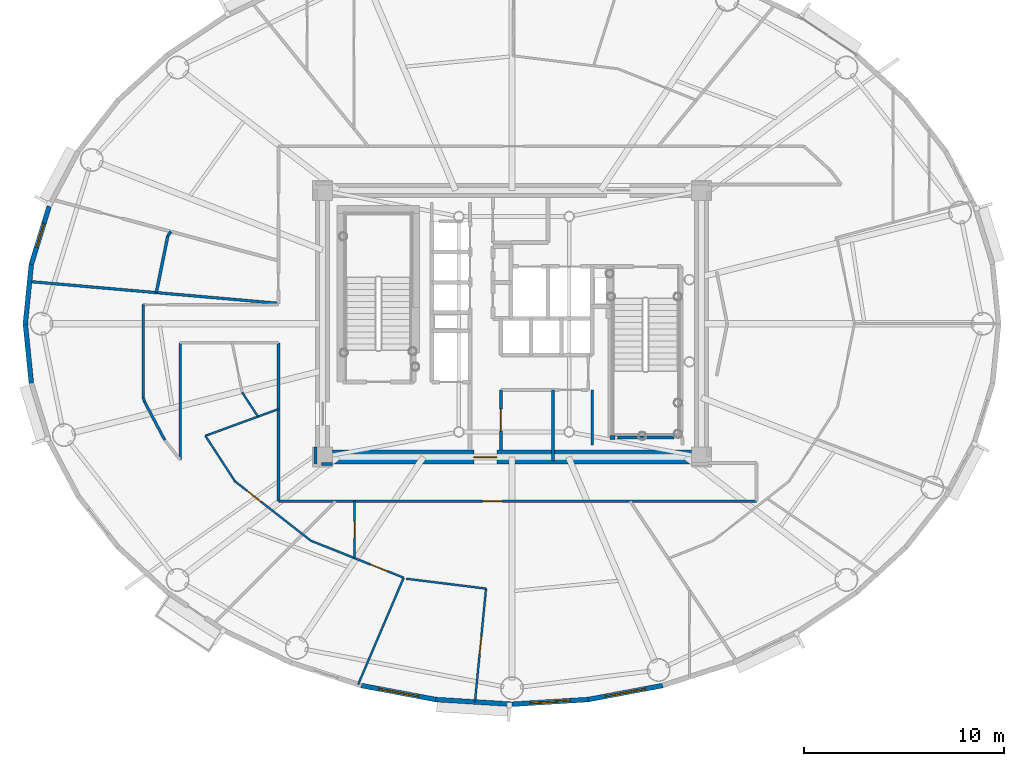
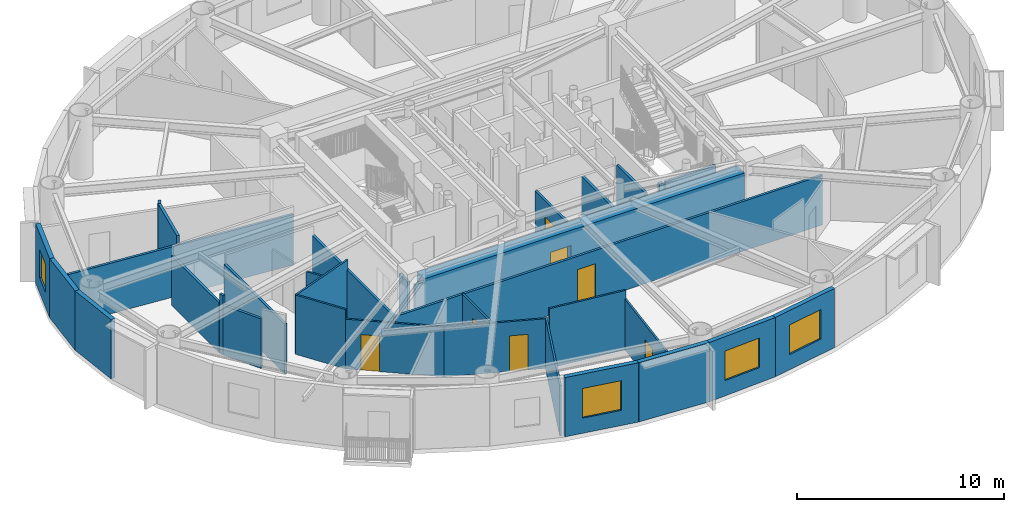
# One storey, part 7 of 18: 33 walls, 7 doors, 4 windows, 11 openings.
"""IFC4 building model written with IfcOpenShell, lengths in metres."""

import ifcopenshell
import ifcopenshell.guid

model = None  # the IFC model being written
_history = None  # IfcOwnerHistory: only IFC2X3 demands one
_inside = {}  # id of a spatial element -> (the spatial element, [elements in it])
_under = {}  # id of a project, library or spatial element -> (it, [spatial elements below it])
_declared = {}  # id of a project -> (the project, [libraries it declares])
_typed = {}  # id of a type object -> (the type object, [elements of that type])
_made_of = {}  # id of a material, layer set ... -> (it, [elements and type objects made of it])


def new_model(schema):
    """Start an empty IFC model of exactly this schema.

    Asked for "IFC4X3", IfcOpenShell would pick the latest addendum, in which some entities
    have other attributes; the version numbers below select the first issue.
    IFC2X3 requires an IfcOwnerHistory on every rooted entity: one is made here for all.
    """
    global model, _history
    if schema == "IFC4X3":
        model = ifcopenshell.file(schema_version=(4, 3, 0, 0))
    else:
        model = ifcopenshell.file(schema=schema)
    _inside.clear()
    _under.clear()
    _declared.clear()
    _typed.clear()
    _made_of.clear()
    _history = None
    if model.schema == "IFC2X3":
        org = make("IfcOrganization", Name="unknown")
        user = make(
            "IfcPersonAndOrganization",
            ThePerson=make("IfcPerson", FamilyName="unknown"),
            TheOrganization=org,
        )
        app = make(
            "IfcApplication",
            ApplicationDeveloper=org,
            Version="unknown",
            ApplicationFullName="unknown",
            ApplicationIdentifier="unknown",
        )
        _history = make(
            "IfcOwnerHistory",
            OwningUser=user,
            OwningApplication=app,
            ChangeAction="ADDED",
            CreationDate=0,
        )
    return model


def make(cls, **values):
    """One entity of the class cls with the attributes given. An attribute that is None is left unset."""
    return model.create_entity(
        cls, **{name: value for name, value in values.items() if value is not None}
    )


def rooted(cls, **values):
    """An entity with a GlobalId (a new one), such as an element, a storey or a relation."""
    return make(cls, GlobalId=ifcopenshell.guid.new(), OwnerHistory=_history, **values)


def si_unit(unit_type, name, prefix=None):
    """IfcSIUnit, for example si_unit("LENGTHUNIT", "METRE", prefix="MILLI")."""
    return make("IfcSIUnit", UnitType=unit_type, Prefix=prefix, Name=name)


def assignment(units):
    """IfcUnitAssignment: the units of a project."""
    return None if units is None else make("IfcUnitAssignment", Units=units)


def point(xyz):
    """IfcCartesianPoint."""
    return None if xyz is None else make("IfcCartesianPoint", Coordinates=xyz)


def direction(xyz):
    """IfcDirection."""
    return None if xyz is None else make("IfcDirection", DirectionRatios=xyz)


def frame(location, z_axis=None, x_axis=None):
    """IfcAxis2Placement3D, a coordinate frame: its origin and axes. An axis left out is left unset."""
    return make(
        "IfcAxis2Placement3D",
        Location=point(location),
        Axis=direction(z_axis),
        RefDirection=direction(x_axis),
    )


def frame_2d(location, x_axis=None):
    """IfcAxis2Placement2D, a coordinate frame in the plane: its origin and x axis."""
    return make(
        "IfcAxis2Placement2D", Location=point(location), RefDirection=direction(x_axis)
    )


def origin():
    """The frame at (0, 0, 0) with its axes left unset."""
    return frame((0.0, 0.0, 0.0))


def origin_2d():
    """The frame at (0, 0) in the plane with its x axis left unset."""
    return frame_2d((0.0, 0.0))


def place(relative_to, where):
    """IfcLocalPlacement: puts the frame where relative to a parent placement (None: the world)."""
    return make(
        "IfcLocalPlacement", PlacementRelTo=relative_to, RelativePlacement=where
    )


def context(
    kind, dimensions, precision=None, world=None, true_north=None, identifier=None
):
    """IfcGeometricRepresentationContext, for example the 3D "Model" context."""
    return make(
        "IfcGeometricRepresentationContext",
        ContextIdentifier=identifier,
        ContextType=kind,
        CoordinateSpaceDimension=dimensions,
        Precision=precision,
        WorldCoordinateSystem=world,
        TrueNorth=true_north,
    )


def subcontext(parent, identifier, kind, view, scale=None):
    """IfcGeometricRepresentationSubContext, for example "Body" below "Model"."""
    return make(
        "IfcGeometricRepresentationSubContext",
        ContextIdentifier=identifier,
        ContextType=kind,
        ParentContext=parent,
        TargetScale=scale,
        TargetView=view,
    )


def project(units=None, contexts=None):
    """IfcProject with its units and contexts."""
    return rooted(
        "IfcProject",
        Name="project",
        RepresentationContexts=contexts,
        UnitsInContext=assignment(units),
    )


def spatial(cls, under=None, at=None, **own):
    """A site, building, storey or space (cls), placed at a placement, below another one or the project."""
    s = rooted(cls, ObjectPlacement=at, **own)
    if under is not None:
        _under.setdefault(under.id(), (under, []))[1].append(s)
    return s


def profile(cls, at=None, kind="AREA", **sizes):
    """A parametric profile (cls). Its sizes go by their IFC names, for example OverallWidth=200.0."""
    return make(cls, ProfileType=kind, Position=at, **sizes)


def rectangle(**sizes):
    """IfcRectangleProfileDef."""
    return profile("IfcRectangleProfileDef", **sizes)


def extrude(swept, where, along, depth):
    """IfcExtrudedAreaSolid: the profile swept, set in the frame where, extruded along a direction by depth."""
    return make(
        "IfcExtrudedAreaSolid",
        SweptArea=swept,
        Position=where,
        ExtrudedDirection=direction(along),
        Depth=depth,
    )


def shape(context_of_items, identifier, shape_type, items):
    """IfcShapeRepresentation: the items that make up one representation, for example the "Body"."""
    return make(
        "IfcShapeRepresentation",
        ContextOfItems=context_of_items,
        RepresentationIdentifier=identifier,
        RepresentationType=shape_type,
        Items=items,
    )


def source(mapping_origin, context_of_items, identifier, shape_type, items):
    """IfcRepresentationMap: a shape defined once, which mapped items show again and again."""
    return make(
        "IfcRepresentationMap",
        MappingOrigin=mapping_origin,
        MappedRepresentation=shape(context_of_items, identifier, shape_type, items),
    )


def transform(
    local_origin,
    x_axis=None,
    y_axis=None,
    z_axis=None,
    scale=None,
    scale2=None,
    scale3=None,
    uniform=True,
):
    """IfcCartesianTransformationOperator3D, or its non-uniform kind. x_axis, y_axis, z_axis: its Axis1, 2, 3."""
    if uniform:
        return make(
            "IfcCartesianTransformationOperator3D",
            Axis1=direction(x_axis),
            Axis2=direction(y_axis),
            LocalOrigin=point(local_origin),
            Scale=scale,
            Axis3=direction(z_axis),
        )
    return make(
        "IfcCartesianTransformationOperator3DnonUniform",
        Axis1=direction(x_axis),
        Axis2=direction(y_axis),
        LocalOrigin=point(local_origin),
        Scale=scale,
        Axis3=direction(z_axis),
        Scale2=scale2,
        Scale3=scale3,
    )


def mapped(mapping_source, mapping_target):
    """IfcMappedItem: shows the shape of a source again, moved by a transform."""
    return make(
        "IfcMappedItem", MappingSource=mapping_source, MappingTarget=mapping_target
    )


def material(Name=None, Category=None):
    """IfcMaterial."""
    return make("IfcMaterial", Name=Name, Category=Category)


def layer(
    of_material, thickness, ventilated=None, Name=None, Category=None, Priority=None
):
    """IfcMaterialLayer: one layer of a wall or slab, of a material (None: an air gap)."""
    return make(
        "IfcMaterialLayer",
        Material=of_material,
        LayerThickness=thickness,
        IsVentilated=ventilated,
        Name=Name,
        Category=Category,
        Priority=Priority,
    )


def layer_set(layers, Name=None):
    """IfcMaterialLayerSet."""
    return make("IfcMaterialLayerSet", MaterialLayers=layers, LayerSetName=Name)


def made_of(thing, what):
    """Note that an element or type object is made of a material, layer set ...; save() writes the relation."""
    if what is not None:
        _made_of.setdefault(what.id(), (what, []))[1].append(thing)
    return thing


def type_object(cls, material=None, **own):
    """A type object (cls), such as IfcWallType, which elements share."""
    return made_of(rooted(cls, **own), material)


def element(
    cls,
    number,
    at=None,
    inside=None,
    cuts=None,
    type_object=None,
    material=None,
    context=None,
    identifier="Body",
    shape_type=None,
    held_by="IfcProductDefinitionShape",
    body=None,
    shapes=None,
    **own,
):
    """One element of the class cls, such as IfcWall. Its Tag is "e" and its number.

    at: its placement. inside: the storey or other place that contains it. cuts: it is an
    opening in that element (IfcRelVoidsElement). A single representation is given by context,
    identifier, shape_type and body (its items); several are given by shapes. held_by: the class
    of the entity that holds the representations. save() writes the other relations.
    """
    e = rooted(cls, Tag="e%d" % number, ObjectPlacement=at, **own)
    if body is not None:
        shapes = [shape(context, identifier, shape_type, body)]
    if shapes is not None:
        e.Representation = make(held_by, Representations=shapes)
    if inside is not None:
        _inside.setdefault(inside.id(), (inside, []))[1].append(e)
    if cuts is not None:
        rooted(
            "IfcRelVoidsElement", RelatingBuildingElement=cuts, RelatedOpeningElement=e
        )
    if type_object is not None:
        _typed.setdefault(type_object.id(), (type_object, []))[1].append(e)
    return made_of(e, material)


def fill(opening, filler):
    """IfcRelFillsElement: the door or window that sits in an opening."""
    return rooted(
        "IfcRelFillsElement",
        RelatingOpeningElement=opening,
        RelatedBuildingElement=filler,
    )


def aggregate(whole, parts):
    """IfcRelAggregates: a whole, such as a stair, and the parts it consists of."""
    return rooted("IfcRelAggregates", RelatingObject=whole, RelatedObjects=parts)


def save(model, path):
    """Write the relations noted so far, then the file.

    IfcRelAggregates (storeys below a building ...), IfcRelContainedInSpatialStructure (elements
    in a storey), IfcRelDefinesByType, IfcRelAssociatesMaterial and IfcRelDeclares: one each for
    every whole, place, type object, material and project.
    """
    for whole, parts in _under.values():
        aggregate(whole, parts)
    for where, things in _inside.values():
        rooted(
            "IfcRelContainedInSpatialStructure",
            RelatedElements=things,
            RelatingStructure=where,
        )
    for kind, things in _typed.values():
        rooted("IfcRelDefinesByType", RelatedObjects=things, RelatingType=kind)
    for what, things in _made_of.values():
        rooted("IfcRelAssociatesMaterial", RelatedObjects=things, RelatingMaterial=what)
    for by, libraries in _declared.values():
        rooted("IfcRelDeclares", RelatingContext=by, RelatedDefinitions=libraries)
    model.write(path)


model = new_model("IFC4")

# Units and contexts
model_context = context("Model", 3, precision=1e-05, world=origin(), true_north=direction((0.0, 1.0)))
body_context = subcontext(model_context, "Body", "Model", "MODEL_VIEW")
ifc_project = project(units=[si_unit("LENGTHUNIT", "METRE"), si_unit("AREAUNIT", "SQUARE_METRE"), si_unit("VOLUMEUNIT", "CUBIC_METRE"), si_unit("PLANEANGLEUNIT", "RADIAN"), si_unit("MASSUNIT", "GRAM", prefix="KILO")], contexts=[model_context])

# Site, building, storey
site_placement = place(None, origin())
site = spatial("IfcSite", under=ifc_project, at=site_placement, CompositionType="ELEMENT")
building_placement = place(site_placement, origin())
building = spatial("IfcBuilding", under=site, at=building_placement, Name="Linh Dai School and Residence Tower", CompositionType="ELEMENT")
storey_placement = place(building_placement, frame((0.0, 0.0, 244.050048828125)))
storey = spatial("IfcBuildingStorey", under=building, at=storey_placement, Name="L60", CompositionType="ELEMENT", Elevation=244.050048828125)

# Wall, opening, window
ifc_material_1 = material(Name="Precast Concrete B45 (C35/45)", Category="concrete")
ifc_layer_1 = layer(ifc_material_1, 0.239990234375)
ifc_layer_set_1 = layer_set([ifc_layer_1], Name="Precast Concrete B45 (C35/45)")
wall_type_1 = type_object("IfcWallType", Name="EW-TC-240", PredefinedType="SOLIDWALL", material=ifc_layer_set_1)
wall_1_placement = place(storey_placement, frame((12.02294921875, 29.9638671875, 0.0), z_axis=(0.0, 0.0, 1.0), x_axis=(0.293132907334, 0.95607170162, 0.0)))
wall_1 = element("IfcWall", 1, at=wall_1_placement, inside=storey, type_object=wall_type_1, Name="L60 Terracotta Exterior Wall 19", PredefinedType="SOLIDWALL", context=body_context, shape_type="SweptSolid", body=[
    extrude(rectangle(XDim=3.02490234375, YDim=0.239990234375, at=frame_2d((1.512451171875, 0.0))), origin(), (0.0, 0.0, 1.0), 3.5),
])
opening_1_placement = place(wall_1_placement, frame((0.887451171875, 0.0, 0.89990234375)))
opening_1 = element("IfcOpeningElement", 2, at=opening_1_placement, cuts=wall_1, Name="Opening W3", PredefinedType="OPENING", context=body_context, shape_type="SweptSolid", body=[
    extrude(rectangle(XDim=1.25, YDim=1.64990234375, at=origin_2d()), frame((0.625, 0.1298828125, 0.824951171875), z_axis=(0.0, -1.0, 0.0), x_axis=(1.0, 0.0, 0.0)), (0.0, 0.0, 1.0), 0.260009765625),
])
ifc_material_2 = material(Name="Double Low-E Insulated Glazing", Category="glass")
window_type_1 = type_object("IfcWindowType", Name="WN-RES-1250x1650", PartitioningType="SINGLE_PANEL", PredefinedType="WINDOW", material=ifc_material_2)
shared_shape_1 = source(origin(), body_context, "Body", "SweptSolid", [
    extrude(rectangle(XDim=1.25, YDim=1.64990234375, at=origin_2d()), frame((0.625, 0.030029296875, 0.824951171875), z_axis=(0.0, -1.0, 0.0), x_axis=(1.0, 0.0, 0.0)), (0.0, 0.0, 1.0), 0.06005859375),
])
window_1_placement = place(opening_1_placement, origin())
window_1 = element("IfcWindow", 3, at=window_1_placement, inside=storey, type_object=window_type_1, Name="L60 Exterior Window 19.1", OverallHeight=1.64990234375, OverallWidth=1.25, PartitioningType="SINGLE_PANEL", PredefinedType="WINDOW", context=body_context, shape_type="MappedRepresentation", body=[
    mapped(shared_shape_1, transform((0.0, 0.0, 0.0), x_axis=(1.0, 0.0, 0.0), y_axis=(0.0, 1.0, 0.0), z_axis=(0.0, 0.0, 1.0), scale=1.0)),
])
fill(opening_1, window_1)

# Walls
for number, where, z_axis, x_axis, name in (
    (4, (11.72509765625, 27.0, 0.0), (0.0, 0.0, 1.0), (0.099990595253, 0.994988382274, 0.0), "L60 Terracotta Exterior Wall 20"),
    (5, (12.02294921875, 24.0361328125, 0.0), (0.0, 0.0, 1.0), (-0.099990595253, 0.994988382274, 0.0), "L60 Terracotta Exterior Wall 21"),
):
    element("IfcWall", number, at=place(storey_placement, frame(where, z_axis=z_axis, x_axis=x_axis)), inside=storey, type_object=wall_type_1, Name=name, PredefinedType="SOLIDWALL", context=body_context, shape_type="SweptSolid", body=[
        extrude(rectangle(XDim=2.978759765625, YDim=0.239990234375, at=frame_2d((1.4892578125, 0.0))), origin(), (0.0, 0.0, 1.0), 3.5),
    ])

# Wall, opening, window
wall_2_placement = place(storey_placement, frame((32.198486328125, 8.254150390625, 0.0), z_axis=(0.0, 0.0, 1.0), x_axis=(-0.982784898575, 0.184753465822, 0.0)))
wall_2 = element("IfcWall", 6, at=wall_2_placement, inside=storey, type_object=wall_type_1, Name="L60 Terracotta Exterior Wall 29", PredefinedType="SOLIDWALL", context=body_context, shape_type="SweptSolid", body=[
    extrude(rectangle(XDim=3.772705078125, YDim=0.239990234375, at=frame_2d((1.88623046875, 0.0))), origin(), (0.0, 0.0, 1.0), 3.5),
])
opening_2_placement = place(wall_2_placement, frame((0.88623046875, 0.0, 0.89990234375)))
opening_2 = element("IfcOpeningElement", 7, at=opening_2_placement, cuts=wall_2, Name="Opening W1", PredefinedType="OPENING", context=body_context, shape_type="SweptSolid", body=[
    extrude(rectangle(XDim=2.0, YDim=1.75, at=origin_2d()), frame((1.0, 0.1298828125, 0.875), z_axis=(0.0, -1.0, 0.0), x_axis=(1.0, 0.0, 0.0)), (0.0, 0.0, 1.0), 0.260009765625),
])
window_type_2 = type_object("IfcWindowType", Name="WN-RES-2000x1750", PartitioningType="DOUBLE_PANEL_VERTICAL", PredefinedType="WINDOW", material=ifc_material_2)
shared_shape_2 = source(origin(), body_context, "Body", "SweptSolid", [
    extrude(rectangle(XDim=2.0, YDim=1.75, at=origin_2d()), frame((1.0, 0.030029296875, 0.875), z_axis=(0.0, -1.0, 0.0), x_axis=(1.0, 0.0, 0.0)), (0.0, 0.0, 1.0), 0.06005859375),
])
window_2_placement = place(opening_2_placement, origin())
window_2 = element("IfcWindow", 8, at=window_2_placement, inside=storey, type_object=window_type_2, Name="L60 Exterior Window 29.1", OverallHeight=1.75, OverallWidth=2.0, PartitioningType="DOUBLE_PANEL_VERTICAL", PredefinedType="WINDOW", context=body_context, shape_type="MappedRepresentation", body=[
    mapped(shared_shape_2, transform((0.0, 0.0, 0.0), x_axis=(1.0, 0.0, 0.0), y_axis=(0.0, 1.0, 0.0), z_axis=(0.0, 0.0, 1.0), scale=1.0)),
])
fill(opening_2, window_2)

# Wall
wall_3_placement = place(storey_placement, frame((36.0, 8.02001953125, 0.0), z_axis=(0.0, 0.0, 1.0), x_axis=(-0.998108785312, 0.06147237333, 0.0)))
element("IfcWall", 9, at=wall_3_placement, inside=storey, type_object=wall_type_1, Name="L60 Terracotta Exterior Wall 30", PredefinedType="SOLIDWALL", context=body_context, shape_type="SweptSolid", body=[
    extrude(rectangle(XDim=3.808837890625, YDim=0.239990234375, at=frame_2d((1.904296875, 0.0))), origin(), (0.0, 0.0, 1.0), 3.5),
])

# Wall, opening, window
wall_4_placement = place(storey_placement, frame((39.801513671875, 8.254150390625, 0.0), z_axis=(0.0, 0.0, 1.0), x_axis=(-0.998108785312, -0.06147237333, 0.0)))
wall_4 = element("IfcWall", 10, at=wall_4_placement, inside=storey, type_object=wall_type_1, Name="L60 Terracotta Exterior Wall 31", PredefinedType="SOLIDWALL", context=body_context, shape_type="SweptSolid", body=[
    extrude(rectangle(XDim=3.808837890625, YDim=0.239990234375, at=frame_2d((1.904296875, 0.0))), origin(), (0.0, 0.0, 1.0), 3.5),
])
opening_3_placement = place(wall_4_placement, frame((0.904541015625, 0.0, 0.89990234375)))
opening_3 = element("IfcOpeningElement", 11, at=opening_3_placement, cuts=wall_4, Name="Opening W1", PredefinedType="OPENING", context=body_context, shape_type="SweptSolid", body=[
    extrude(rectangle(XDim=2.0, YDim=1.75, at=origin_2d()), frame((1.0, 0.1298828125, 0.875), z_axis=(0.0, -1.0, 0.0), x_axis=(1.0, 0.0, 0.0)), (0.0, 0.0, 1.0), 0.260009765625),
])
window_3_placement = place(opening_3_placement, origin())
window_3 = element("IfcWindow", 12, at=window_3_placement, inside=storey, type_object=window_type_2, Name="L60 Exterior Window 31.1", OverallHeight=1.75, OverallWidth=2.0, PartitioningType="DOUBLE_PANEL_VERTICAL", PredefinedType="WINDOW", context=body_context, shape_type="MappedRepresentation", body=[
    mapped(shared_shape_2, transform((0.0, 0.0, 0.0), x_axis=(1.0, 0.0, 0.0), y_axis=(0.0, 1.0, 0.0), z_axis=(0.0, 0.0, 1.0), scale=1.0)),
])
fill(opening_3, window_3)

wall_5_placement = place(storey_placement, frame((43.50927734375, 8.951171875, 0.0), z_axis=(0.0, 0.0, 1.0), x_axis=(-0.982784898575, -0.184753465822, 0.0)))
wall_5 = element("IfcWall", 13, at=wall_5_placement, inside=storey, type_object=wall_type_1, Name="L60 Terracotta Exterior Wall 32", PredefinedType="SOLIDWALL", context=body_context, shape_type="SweptSolid", body=[
    extrude(rectangle(XDim=3.772705078125, YDim=0.239990234375, at=frame_2d((1.88623046875, 0.0))), origin(), (0.0, 0.0, 1.0), 3.5),
])
opening_4_placement = place(wall_5_placement, frame((0.88623046875, 0.0, 0.89990234375)))
opening_4 = element("IfcOpeningElement", 14, at=opening_4_placement, cuts=wall_5, Name="Opening W1", PredefinedType="OPENING", context=body_context, shape_type="SweptSolid", body=[
    extrude(rectangle(XDim=2.0, YDim=1.75, at=origin_2d()), frame((1.0, 0.1298828125, 0.875), z_axis=(0.0, -1.0, 0.0), x_axis=(1.0, 0.0, 0.0)), (0.0, 0.0, 1.0), 0.260009765625),
])
window_4_placement = place(opening_4_placement, origin())
window_4 = element("IfcWindow", 15, at=window_4_placement, inside=storey, type_object=window_type_2, Name="L60 Exterior Window 32.1", OverallHeight=1.75, OverallWidth=2.0, PartitioningType="DOUBLE_PANEL_VERTICAL", PredefinedType="WINDOW", context=body_context, shape_type="MappedRepresentation", body=[
    mapped(shared_shape_2, transform((0.0, 0.0, 0.0), x_axis=(1.0, 0.0, 0.0), y_axis=(0.0, 1.0, 0.0), z_axis=(0.0, 0.0, 1.0), scale=1.0)),
])
fill(opening_4, window_4)

# Walls
ifc_material_3 = material(Name="Autoclaved Aerated Concrete Blockwork", Category="masonry")
ifc_layer_2 = layer(ifc_material_3, 0.135009765625)
ifc_layer_set_2 = layer_set([ifc_layer_2], Name="Autoclaved Aerated Concrete Blockwork")
wall_type_2 = type_object("IfcWallType", Name="IW-CORR-135-EI90", PredefinedType="PARTITIONING", material=ifc_layer_set_2)
wall_6_placement = place(storey_placement, frame((11.931640625, 29.105712890625, 0.0), z_axis=(0.0, 0.0, 1.0), x_axis=(0.996194886619, -0.08715358784, 0.0)))
element("IfcWall", 16, at=wall_6_placement, inside=storey, type_object=wall_type_2, Name="L60 Interior Partition Wall 001", PredefinedType="PARTITIONING", context=body_context, shape_type="SweptSolid", body=[
    extrude(rectangle(XDim=12.465576171875, YDim=0.135009765625, at=frame_2d((6.23291015625, 0.0))), origin(), (0.0, 0.0, 1.0), 2.98486328125),
])
wall_7_placement = place(storey_placement, frame((17.60009765625, 23.327880859375, 0.0), z_axis=(0.0, 0.0, 1.0), x_axis=(0.0, 1.0, 0.0)))
element("IfcWall", 17, at=wall_7_placement, inside=storey, type_object=wall_type_2, Name="L60 Interior Partition Wall 003", PredefinedType="PARTITIONING", context=body_context, shape_type="SweptSolid", body=[
    extrude(rectangle(XDim=4.6220703125, YDim=0.135009765625, at=frame_2d((2.31103515625, 0.0))), origin(), (0.0, 0.0, 1.0), 2.93505859375),
])
wall_8_placement = place(storey_placement, frame((17.60009765625, 23.327880859375, 0.0), z_axis=(0.0, 0.0, 1.0), x_axis=(0.292875000845, -0.956150738053, 0.0)))
element("IfcWall", 18, at=wall_8_placement, inside=storey, type_object=wall_type_2, Name="L60 Interior Partition Wall 004", PredefinedType="PARTITIONING", context=body_context, shape_type="SweptSolid", body=[
    extrude(rectangle(XDim=0.226806640625, YDim=0.135009765625, at=frame_2d((0.11328125, 0.0))), origin(), (0.0, 0.0, 1.0), 3.5),
])
wall_9_placement = place(storey_placement, frame((17.66650390625, 23.111083984375, 0.0), z_axis=(0.0, 0.0, 1.0), x_axis=(0.467675622269, -0.883900171024, 0.0)))
element("IfcWall", 19, at=wall_9_placement, inside=storey, type_object=wall_type_2, Name="L60 Interior Partition Wall 006", PredefinedType="PARTITIONING", context=body_context, shape_type="SweptSolid", body=[
    extrude(rectangle(XDim=2.16845703125, YDim=0.135009765625, at=frame_2d((1.084228515625, 0.0))), origin(), (0.0, 0.0, 1.0), 2.93505859375),
])
wall_10_placement = place(storey_placement, frame((19.449951171875, 20.211181640625, 0.0), z_axis=(0.0, 0.0, 1.0), x_axis=(0.0, 1.0, 0.0)))
element("IfcWall", 20, at=wall_10_placement, inside=storey, type_object=wall_type_2, Name="L60 Interior Partition Wall 010", PredefinedType="PARTITIONING", context=body_context, shape_type="SweptSolid", body=[
    extrude(rectangle(XDim=5.8388671875, YDim=0.135009765625, at=frame_2d((2.91943359375, 0.0))), origin(), (0.0, 0.0, 1.0), 2.93505859375),
])
wall_11_placement = place(storey_placement, frame((24.35009765625, 18.14990234375, 0.0), z_axis=(0.0, 0.0, 1.0), x_axis=(0.0, 1.0, 0.0)))
element("IfcWall", 21, at=wall_11_placement, inside=storey, type_object=wall_type_2, Name="L60 Interior Partition Wall 019", PredefinedType="PARTITIONING", context=body_context, shape_type="SweptSolid", body=[
    extrude(rectangle(XDim=7.900146484375, YDim=0.135009765625, at=frame_2d((3.9501953125, 0.0))), origin(), (0.0, 0.0, 1.0), 2.93505859375),
])

# Wall, opening, door
wall_12_placement = place(storey_placement, frame((24.35009765625, 18.14990234375, 0.0), z_axis=(0.0, 0.0, 1.0), x_axis=(1.0, 0.0, 0.0)))
wall_12 = element("IfcWall", 22, at=wall_12_placement, inside=storey, type_object=wall_type_2, Name="L60 Interior Partition Wall 020", PredefinedType="PARTITIONING", context=body_context, shape_type="SweptSolid", body=[
    extrude(rectangle(XDim=23.849853515625, YDim=0.135009765625, at=frame_2d((11.9248046875, 0.0))), origin(), (0.0, 0.0, 1.0), 2.93505859375),
])
opening_5_placement = place(wall_12_placement, frame((10.167724609375, 0.0, 0.0)))
opening_5 = element("IfcOpeningElement", 23, at=opening_5_placement, cuts=wall_12, Name="Opening D03", PredefinedType="OPENING", context=body_context, shape_type="SweptSolid", body=[
    extrude(rectangle(XDim=1.0, YDim=2.14990234375, at=origin_2d()), frame((0.5, 0.07763671875, 1.074951171875), z_axis=(0.0, -1.0, 0.0), x_axis=(1.0, 0.0, 0.0)), (0.0, 0.0, 1.0), 0.155029296875),
])
ifc_material_4 = material(Name="Fire-Rated Solid Timber Entrance Door", Category="wood")
door_type_1 = type_object("IfcDoorType", Name="DR-FLAT-1000x2150-FD60S", OperationType="NOTDEFINED", PredefinedType="DOOR", material=ifc_material_4)
shared_shape_3 = source(origin(), body_context, "Body", "SweptSolid", [
    extrude(rectangle(XDim=1.0, YDim=2.14990234375, at=origin_2d()), frame((0.5, 0.02490234375, 1.074951171875), z_axis=(0.0, -1.0, 0.0), x_axis=(1.0, 0.0, 0.0)), (0.0, 0.0, 1.0), 0.050048828125),
])
door_1_placement = place(opening_5_placement, origin())
door_1 = element("IfcDoor", 24, at=door_1_placement, inside=storey, type_object=door_type_1, Name="L60 U6002 Apartment Entrance Door", OperationType="SINGLE_SWING_RIGHT", OverallHeight=2.14990234375, OverallWidth=1.0, PredefinedType="DOOR", context=body_context, shape_type="MappedRepresentation", body=[
    mapped(shared_shape_3, transform((0.0, 0.0, 0.0), x_axis=(1.0, 0.0, 0.0), y_axis=(0.0, 1.0, 0.0), z_axis=(0.0, 0.0, 1.0), scale=1.0)),
])
fill(opening_5, door_1)

wall_13_placement = place(storey_placement, frame((35.449951171875, 20.699951171875, 0.0), z_axis=(0.0, 0.0, 1.0), x_axis=(0.0, 1.0, 0.0)))
wall_13 = element("IfcWall", 25, at=wall_13_placement, inside=storey, type_object=wall_type_2, Name="L60 Interior Partition Wall 045", PredefinedType="PARTITIONING", context=body_context, shape_type="SweptSolid", body=[
    extrude(rectangle(XDim=3.0, YDim=0.135009765625, at=frame_2d((1.5, 0.0))), origin(), (0.0, 0.0, 1.0), 3.0849609375),
])
opening_6_placement = place(wall_13_placement, frame((0.949951171875, 0.0, 0.0)))
opening_6 = element("IfcOpeningElement", 26, at=opening_6_placement, cuts=wall_13, Name="Opening D07", PredefinedType="OPENING", context=body_context, shape_type="SweptSolid", body=[
    extrude(rectangle(XDim=1.10009765625, YDim=2.14990234375, at=origin_2d()), frame((0.550048828125, 0.07763671875, 1.074951171875), z_axis=(0.0, -1.0, 0.0), x_axis=(1.0, 0.0, 0.0)), (0.0, 0.0, 1.0), 0.155029296875),
])
ifc_material_5 = material(Name="Fire-Rated Louvred Steel Plant Door", Category="steel")
door_type_2 = type_object("IfcDoorType", Name="DR-PLT-1100x2150-FD60S", OperationType="NOTDEFINED", PredefinedType="DOOR", material=ifc_material_5)
shared_shape_4 = source(origin(), body_context, "Body", "SweptSolid", [
    extrude(rectangle(XDim=1.10009765625, YDim=2.14990234375, at=origin_2d()), frame((0.550048828125, 0.02490234375, 1.074951171875), z_axis=(0.0, -1.0, 0.0), x_axis=(1.0, 0.0, 0.0)), (0.0, 0.0, 1.0), 0.050048828125),
])
door_2_placement = place(opening_6_placement, origin())
door_2 = element("IfcDoor", 27, at=door_2_placement, inside=storey, type_object=door_type_2, Name="L60 Floor Electrical Switchroom Door", OperationType="SINGLE_SWING_LEFT", OverallHeight=2.14990234375, OverallWidth=1.10009765625, PredefinedType="DOOR", context=body_context, shape_type="MappedRepresentation", body=[
    mapped(shared_shape_4, transform((0.0, 0.0, 0.0), x_axis=(1.0, 0.0, 0.0), y_axis=(0.0, 1.0, 0.0), z_axis=(0.0, 0.0, 1.0), scale=1.0)),
])
fill(opening_6, door_2)

# Walls
wall_14_placement = place(storey_placement, frame((44.080078125, 21.330078125, 0.0), z_axis=(0.0, 0.0, 1.0), x_axis=(-1.0, 0.0, 0.0)))
element("IfcWall", 28, at=wall_14_placement, inside=storey, type_object=wall_type_2, Name="L60 Interior Partition Wall 087", PredefinedType="PARTITIONING", context=body_context, shape_type="SweptSolid", body=[
    extrude(rectangle(XDim=2.820068359375, YDim=0.135009765625, at=frame_2d((1.41015625, 0.0))), origin(), (0.0, 0.0, 1.0), 3.034912109375),
])
wall_15_placement = place(storey_placement, frame((40.0, 23.699951171875, 0.0), z_axis=(0.0, 0.0, 1.0), x_axis=(0.0, -1.0, 0.0)))
element("IfcWall", 29, at=wall_15_placement, inside=storey, type_object=wall_type_2, Name="L60 Interior Partition Wall 089", PredefinedType="PARTITIONING", context=body_context, shape_type="SweptSolid", body=[
    extrude(rectangle(XDim=2.739990234375, YDim=0.135009765625, at=frame_2d((1.3701171875, 0.0))), origin(), (0.0, 0.0, 1.0), 3.034912109375),
])
wall_16_placement = place(storey_placement, frame((26.199951171875, 20.840087890625, 0.0), z_axis=(0.0, 0.0, 1.0), x_axis=(0.0, -1.0, 0.0)))
element("IfcWall", 30, at=wall_16_placement, inside=storey, type_object=wall_type_2, Name="L60 Interior Partition Wall 096", PredefinedType="PARTITIONING", context=body_context, shape_type="SweptSolid", body=[
    extrude(rectangle(XDim=0.840087890625, YDim=0.135009765625, at=frame_2d((0.419921875, 0.0))), origin(), (0.0, 0.0, 1.0), 3.18505859375),
])
wall_17_placement = place(storey_placement, frame((26.507568359375, 20.0, 0.0), z_axis=(0.0, 0.0, 1.0), x_axis=(1.0, 0.0, 0.0)))
element("IfcWall", 31, at=wall_17_placement, inside=storey, type_object=wall_type_2, Name="L60 Interior Partition Wall 097", PredefinedType="PARTITIONING", context=body_context, shape_type="SweptSolid", body=[
    extrude(rectangle(XDim=0.532470703125, YDim=0.135009765625, at=frame_2d((0.26611328125, 0.0))), origin(), (0.0, 0.0, 1.0), 2.93505859375),
])
ifc_layer_3 = layer(ifc_material_3, 0.14990234375)
ifc_layer_set_3 = layer_set([ifc_layer_3], Name="Autoclaved Aerated Concrete Blockwork")
wall_type_3 = type_object("IfcWallType", Name="IW-SCH-150-EI60", PredefinedType="PARTITIONING", material=ifc_layer_set_3)
wall_18_placement = place(storey_placement, frame((18.258056640625, 28.55224609375, 0.0), z_axis=(0.0, 0.0, 1.0), x_axis=(0.198206962436, 0.980160191011, 0.0)))
element("IfcWall", 32, at=wall_18_placement, inside=storey, type_object=wall_type_3, Name="L60 Interior Partition Wall 007", PredefinedType="PARTITIONING", context=body_context, shape_type="SweptSolid", body=[
    extrude(rectangle(XDim=2.873779296875, YDim=0.14990234375, at=frame_2d((1.43701171875, 0.0))), origin(), (0.0, 0.0, 1.0), 3.5),
])
wall_19_placement = place(storey_placement, frame((18.82763671875, 31.368896484375, 0.0), z_axis=(0.0, 0.0, 1.0), x_axis=(0.545861595592, 0.837875359739, 0.0)))
element("IfcWall", 33, at=wall_19_placement, inside=storey, type_object=wall_type_3, Name="L60 Interior Partition Wall 009", PredefinedType="PARTITIONING", context=body_context, shape_type="SweptSolid", body=[
    extrude(rectangle(XDim=0.275146484375, YDim=0.14990234375, at=frame_2d((0.1376953125, 0.0))), origin(), (0.0, 0.0, 1.0), 3.5),
])
wall_20_placement = place(storey_placement, frame((38.050048828125, 20.179931640625, 0.0), z_axis=(0.0, 0.0, 1.0), x_axis=(0.0, 1.0, 0.0)))
element("IfcWall", 34, at=wall_20_placement, inside=storey, type_object=wall_type_3, Name="L60 Interior Partition Wall 057", PredefinedType="PARTITIONING", context=body_context, shape_type="SweptSolid", body=[
    extrude(rectangle(XDim=3.52001953125, YDim=0.14990234375, at=frame_2d((1.760009765625, 0.0))), origin(), (0.0, 0.0, 1.0), 3.034912109375),
])
ifc_material_6 = material(Name="Concrete B45 (C35/45)", Category="concrete")
ifc_layer_4 = layer(ifc_material_6, 0.199951171875)
ifc_layer_set_4 = layer_set([ifc_layer_4], Name="Concrete B45 (C35/45)")
wall_type_4 = type_object("IfcWallType", Name="IW-SHAFT-200-EI120", PredefinedType="PARTITIONING", material=ifc_layer_set_4)
wall_21_placement = place(storey_placement, frame((40.89990234375, 21.330078125, 0.0), z_axis=(0.0, 0.0, 1.0), x_axis=(1.0, 0.0, 0.0)))
element("IfcWall", 35, at=wall_21_placement, inside=storey, type_object=wall_type_4, Name="L60 Interior Partition Wall 064", PredefinedType="PARTITIONING", context=body_context, shape_type="SweptSolid", body=[
    extrude(rectangle(XDim=0.25, YDim=0.199951171875, at=frame_2d((0.125, 0.0))), origin(), (0.0, 0.0, 1.0), 3.034912109375),
])
ifc_material_7 = material(Name="Gypsum Plasterboard Acoustic Stud Partition", Category="masonry")
ifc_layer_5 = layer(ifc_material_7, 0.10009765625)
ifc_layer_set_5 = layer_set([ifc_layer_5], Name="Gypsum Plasterboard Acoustic Stud Partition")
wall_type_5 = type_object("IfcWallType", Name="IW-UNIT-100", PredefinedType="PARTITIONING", material=ifc_layer_set_5)
wall_22_placement = place(storey_placement, frame((20.704345703125, 21.40966796875, 0.0), z_axis=(0.0, 0.0, 1.0), x_axis=(0.545431767871, -0.838155228223, 0.0)))
element("IfcWall", 36, at=wall_22_placement, inside=storey, type_object=wall_type_5, Name="L60 Interior Partition Wall 012", PredefinedType="PARTITIONING", context=body_context, shape_type="SweptSolid", body=[
    extrude(rectangle(XDim=2.708984375, YDim=0.10009765625, at=frame_2d((1.3544921875, 0.0))), origin(), (0.0, 0.0, 1.0), 3.5),
])
wall_23_placement = place(storey_placement, frame((20.704345703125, 21.40966796875, 0.0), z_axis=(0.0, 0.0, 1.0), x_axis=(0.939230218299, 0.343287921481, 0.0)))
element("IfcWall", 37, at=wall_23_placement, inside=storey, type_object=wall_type_5, Name="L60 Interior Partition Wall 013", PredefinedType="PARTITIONING", context=body_context, shape_type="SweptSolid", body=[
    extrude(rectangle(XDim=3.881591796875, YDim=0.10009765625, at=frame_2d((1.94091796875, 0.0))), origin(), (0.0, 0.0, 1.0), 3.5),
])

# Wall, opening, door
wall_24_placement = place(storey_placement, frame((22.181884765625, 19.13916015625, 0.0), z_axis=(0.0, 0.0, 1.0), x_axis=(0.787386902975, -0.616459134917, 0.0)))
wall_24 = element("IfcWall", 38, at=wall_24_placement, inside=storey, type_object=wall_type_5, Name="L60 Interior Partition Wall 016", PredefinedType="PARTITIONING", context=body_context, shape_type="SweptSolid", body=[
    extrude(rectangle(XDim=4.799072265625, YDim=0.10009765625, at=frame_2d((2.3994140625, 0.0))), origin(), (0.0, 0.0, 1.0), 2.93505859375),
])
opening_7_placement = place(wall_24_placement, frame((0.756591796875, 0.0, 0.0)))
opening_7 = element("IfcOpeningElement", 39, at=opening_7_placement, cuts=wall_24, Name="Opening D05", PredefinedType="OPENING", context=body_context, shape_type="SweptSolid", body=[
    extrude(rectangle(XDim=0.89990234375, YDim=2.10009765625, at=origin_2d()), frame((0.449951171875, 0.06005859375, 1.050048828125), z_axis=(0.0, -1.0, 0.0), x_axis=(1.0, 0.0, 0.0)), (0.0, 0.0, 1.0), 0.1201171875),
])
ifc_material_8 = material(Name="Engineered Timber Internal Door", Category="wood")
door_type_3 = type_object("IfcDoorType", Name="DR-INT-900x2100", OperationType="NOTDEFINED", PredefinedType="DOOR", material=ifc_material_8)
shared_shape_5 = source(origin(), body_context, "Body", "SweptSolid", [
    extrude(rectangle(XDim=0.89990234375, YDim=2.10009765625, at=origin_2d()), frame((0.449951171875, 0.02490234375, 1.050048828125), z_axis=(0.0, -1.0, 0.0), x_axis=(1.0, 0.0, 0.0)), (0.0, 0.0, 1.0), 0.050048828125),
])
door_3_placement = place(opening_7_placement, origin())
door_3 = element("IfcDoor", 40, at=door_3_placement, inside=storey, type_object=door_type_3, Name="L60 Apartment U6001 Kitchen Door", OperationType="SINGLE_SWING_LEFT", OverallHeight=2.10009765625, OverallWidth=0.89990234375, PredefinedType="DOOR", context=body_context, shape_type="MappedRepresentation", body=[
    mapped(shared_shape_5, transform((0.0, 0.0, 0.0), x_axis=(1.0, 0.0, 0.0), y_axis=(0.0, 1.0, 0.0), z_axis=(0.0, 0.0, 1.0), scale=1.0)),
])
fill(opening_7, door_3)

# Wall
wall_25_placement = place(storey_placement, frame((22.540771484375, 23.575927734375, 0.0), z_axis=(0.0, 0.0, 1.0), x_axis=(0.545399208044, -0.838176415717, 0.0)))
element("IfcWall", 41, at=wall_25_placement, inside=storey, type_object=wall_type_5, Name="L60 Interior Partition Wall 017", PredefinedType="PARTITIONING", context=body_context, shape_type="SweptSolid", body=[
    extrude(rectangle(XDim=1.44091796875, YDim=0.10009765625, at=frame_2d((0.720458984375, 0.0))), origin(), (0.0, 0.0, 1.0), 2.93505859375),
])

# Wall, opening, door
wall_26_placement = place(storey_placement, frame((25.960693359375, 16.1806640625, 0.0), z_axis=(0.0, 0.0, 1.0), x_axis=(0.928800189679, -0.370580905678, 0.0)))
wall_26 = element("IfcWall", 42, at=wall_26_placement, inside=storey, type_object=wall_type_5, Name="L60 Interior Partition Wall 024", PredefinedType="PARTITIONING", context=body_context, shape_type="SweptSolid", body=[
    extrude(rectangle(XDim=4.9912109375, YDim=0.10009765625, at=frame_2d((2.49560546875, 0.0))), origin(), (0.0, 0.0, 1.0), 2.93505859375),
])
opening_8_placement = place(wall_26_placement, frame((3.20068359375, 0.0, 0.0)))
opening_8 = element("IfcOpeningElement", 43, at=opening_8_placement, cuts=wall_26, Name="Opening D05", PredefinedType="OPENING", context=body_context, shape_type="SweptSolid", body=[
    extrude(rectangle(XDim=0.89990234375, YDim=2.10009765625, at=origin_2d()), frame((0.449951171875, 0.06005859375, 1.050048828125), z_axis=(0.0, -1.0, 0.0), x_axis=(1.0, 0.0, 0.0)), (0.0, 0.0, 1.0), 0.1201171875),
])
door_4_placement = place(opening_8_placement, origin())
door_4 = element("IfcDoor", 44, at=door_4_placement, inside=storey, type_object=door_type_3, Name="L60 Apartment U6002 Principal Bedroom 1 Door", OperationType="SINGLE_SWING_LEFT", OverallHeight=2.10009765625, OverallWidth=0.89990234375, PredefinedType="DOOR", context=body_context, shape_type="MappedRepresentation", body=[
    mapped(shared_shape_5, transform((0.0, 0.0, 0.0), x_axis=(1.0, 0.0, 0.0), y_axis=(0.0, 1.0, 0.0), z_axis=(0.0, 0.0, 1.0), scale=1.0)),
])
fill(opening_8, door_4)

wall_27_placement = place(storey_placement, frame((28.1435546875, 15.3095703125, 0.0), z_axis=(0.0, 0.0, 1.0), x_axis=(0.0, 1.0, 0.0)))
wall_27 = element("IfcWall", 45, at=wall_27_placement, inside=storey, type_object=wall_type_5, Name="L60 Interior Partition Wall 027", PredefinedType="PARTITIONING", context=body_context, shape_type="SweptSolid", body=[
    extrude(rectangle(XDim=2.84033203125, YDim=0.10009765625, at=frame_2d((1.420166015625, 0.0))), origin(), (0.0, 0.0, 1.0), 2.93505859375),
])
opening_9_placement = place(wall_27_placement, frame((1.01025390625, 0.0, 0.0)))
opening_9 = element("IfcOpeningElement", 46, at=opening_9_placement, cuts=wall_27, Name="Opening D06", PredefinedType="OPENING", context=body_context, shape_type="SweptSolid", body=[
    extrude(rectangle(XDim=0.820068359375, YDim=2.10009765625, at=origin_2d()), frame((0.41015625, 0.06005859375, 1.050048828125), z_axis=(0.0, -1.0, 0.0), x_axis=(1.0, 0.0, 0.0)), (0.0, 0.0, 1.0), 0.1201171875),
])
ifc_material_9 = material(Name="Moisture-Resistant Timber Bathroom Door", Category="wood")
door_type_4 = type_object("IfcDoorType", Name="DR-WET-820x2100", OperationType="NOTDEFINED", PredefinedType="DOOR", material=ifc_material_9)
shared_shape_6 = source(origin(), body_context, "Body", "SweptSolid", [
    extrude(rectangle(XDim=0.820068359375, YDim=2.10009765625, at=origin_2d()), frame((0.41015625, 0.02490234375, 1.050048828125), z_axis=(0.0, -1.0, 0.0), x_axis=(1.0, 0.0, 0.0)), (0.0, 0.0, 1.0), 0.050048828125),
])
door_5_placement = place(opening_9_placement, origin())
door_5 = element("IfcDoor", 47, at=door_5_placement, inside=storey, type_object=door_type_4, Name="L60 Apartment U6002 Bathroom 1 Door", OperationType="SINGLE_SWING_LEFT", OverallHeight=2.10009765625, OverallWidth=0.820068359375, PredefinedType="DOOR", context=body_context, shape_type="MappedRepresentation", body=[
    mapped(shared_shape_6, transform((0.0, 0.0, 0.0), x_axis=(1.0, 0.0, 0.0), y_axis=(0.0, 1.0, 0.0), z_axis=(0.0, 0.0, 1.0), scale=1.0)),
])
fill(opening_9, door_5)

# Walls
wall_28_placement = place(storey_placement, frame((28.32275390625, 9.00048828125, 0.0), z_axis=(0.0, 0.0, 1.0), x_axis=(0.39233746538, 0.919821348556, 0.0)))
element("IfcWall", 48, at=wall_28_placement, inside=storey, type_object=wall_type_5, Name="L60 Interior Partition Wall 028", PredefinedType="PARTITIONING", context=body_context, shape_type="SweptSolid", body=[
    extrude(rectangle(XDim=5.795166015625, YDim=0.10009765625, at=frame_2d((2.8974609375, 0.0))), origin(), (0.0, 0.0, 1.0), 2.98486328125),
])
wall_29_placement = place(storey_placement, frame((30.721923828125, 14.281005859375, 0.0), z_axis=(0.0, 0.0, 1.0), x_axis=(0.992399982783, -0.123053948218, 0.0)))
element("IfcWall", 49, at=wall_29_placement, inside=storey, type_object=wall_type_5, Name="L60 Interior Partition Wall 029", PredefinedType="PARTITIONING", context=body_context, shape_type="SweptSolid", body=[
    extrude(rectangle(XDim=4.013671875, YDim=0.10009765625, at=frame_2d((2.0068359375, 0.0))), origin(), (0.0, 0.0, 1.0), 3.5),
])

# Wall, opening, door
wall_30_placement = place(storey_placement, frame((34.150634765625, 8.12890625, 0.0), z_axis=(0.0, 0.0, 1.0), x_axis=(0.097522218383, 0.995233347975, 0.0)))
wall_30 = element("IfcWall", 50, at=wall_30_placement, inside=storey, type_object=wall_type_5, Name="L60 Interior Partition Wall 038", PredefinedType="PARTITIONING", context=body_context, shape_type="SweptSolid", body=[
    extrude(rectangle(XDim=5.685302734375, YDim=0.10009765625, at=frame_2d((2.8427734375, 0.0))), origin(), (0.0, 0.0, 1.0), 2.98486328125),
])
opening_10_placement = place(wall_30_placement, frame((2.392578125, 0.0, 0.0)))
opening_10 = element("IfcOpeningElement", 51, at=opening_10_placement, cuts=wall_30, Name="Opening D05", PredefinedType="OPENING", context=body_context, shape_type="SweptSolid", body=[
    extrude(rectangle(XDim=0.89990234375, YDim=2.10009765625, at=origin_2d()), frame((0.449951171875, 0.06005859375, 1.050048828125), z_axis=(0.0, -1.0, 0.0), x_axis=(1.0, 0.0, 0.0)), (0.0, 0.0, 1.0), 0.1201171875),
])
door_6_placement = place(opening_10_placement, origin())
door_6 = element("IfcDoor", 52, at=door_6_placement, inside=storey, type_object=door_type_3, Name="L60 Apartment U6002 Study Door", OperationType="SINGLE_SWING_RIGHT", OverallHeight=2.10009765625, OverallWidth=0.89990234375, PredefinedType="DOOR", context=body_context, shape_type="MappedRepresentation", body=[
    mapped(shared_shape_5, transform((0.0, 0.0, 0.0), x_axis=(1.0, 0.0, 0.0), y_axis=(0.0, 1.0, 0.0), z_axis=(0.0, 0.0, 1.0), scale=1.0)),
])
fill(opening_10, door_6)

ifc_layer_6 = layer(ifc_material_6, 0.699951171875)
ifc_layer_set_6 = layer_set([ifc_layer_6], Name="Concrete B45 (C35/45)")
wall_type_6 = type_object("IfcWallType", Name="WL-CORE700", PredefinedType="SHEAR", material=ifc_layer_set_6)
wall_31_placement = place(storey_placement, frame((44.949951171875, 20.35009765625, 0.0), z_axis=(0.0, 0.0, 1.0), x_axis=(-1.0, 0.0, 0.0)))
wall_31 = element("IfcWall", 53, at=wall_31_placement, inside=storey, type_object=wall_type_6, Name="L60 Central Core Shear Wall S", PredefinedType="SHEAR", context=body_context, shape_type="SweptSolid", body=[
    extrude(rectangle(XDim=17.89990234375, YDim=0.699951171875, at=frame_2d((8.949951171875, 0.0))), origin(), (0.0, 0.0, 1.0), 3.050048828125),
])
opening_11_placement = place(wall_31_placement, frame((9.699951171875, 0.0, 0.0)))
opening_11 = element("IfcOpeningElement", 54, at=opening_11_placement, cuts=wall_31, Name="Opening D02", PredefinedType="OPENING", context=body_context, shape_type="SweptSolid", body=[
    extrude(rectangle(XDim=1.14990234375, YDim=2.14990234375, at=origin_2d()), frame((0.574951171875, 0.35986328125, 1.074951171875), z_axis=(0.0, -1.0, 0.0), x_axis=(1.0, 0.0, 0.0)), (0.0, 0.0, 1.0), 0.719970703125),
])
ifc_material_10 = material(Name="Fire-Rated Glazed Steel Lobby Door", Category="steel")
door_type_5 = type_object("IfcDoorType", Name="DR-LOBBY-1150x2150-FD90S", OperationType="NOTDEFINED", PredefinedType="DOOR", material=ifc_material_10)
shared_shape_7 = source(origin(), body_context, "Body", "SweptSolid", [
    extrude(rectangle(XDim=1.14990234375, YDim=2.14990234375, at=origin_2d()), frame((0.574951171875, 0.02490234375, 1.074951171875), z_axis=(0.0, -1.0, 0.0), x_axis=(1.0, 0.0, 0.0)), (0.0, 0.0, 1.0), 0.050048828125),
])
door_7_placement = place(opening_11_placement, origin())
door_7 = element("IfcDoor", 55, at=door_7_placement, inside=storey, type_object=door_type_5, Name="L60 Passenger Foyer Access Door", OperationType="SINGLE_SWING_RIGHT", OverallHeight=2.14990234375, OverallWidth=1.14990234375, PredefinedType="DOOR", context=body_context, shape_type="MappedRepresentation", body=[
    mapped(shared_shape_7, transform((0.0, 0.0, 0.0), x_axis=(1.0, 0.0, 0.0), y_axis=(0.0, 1.0, 0.0), z_axis=(0.0, 0.0, 1.0), scale=1.0)),
])
fill(opening_11, door_7)

save(model, "model.ifc")
